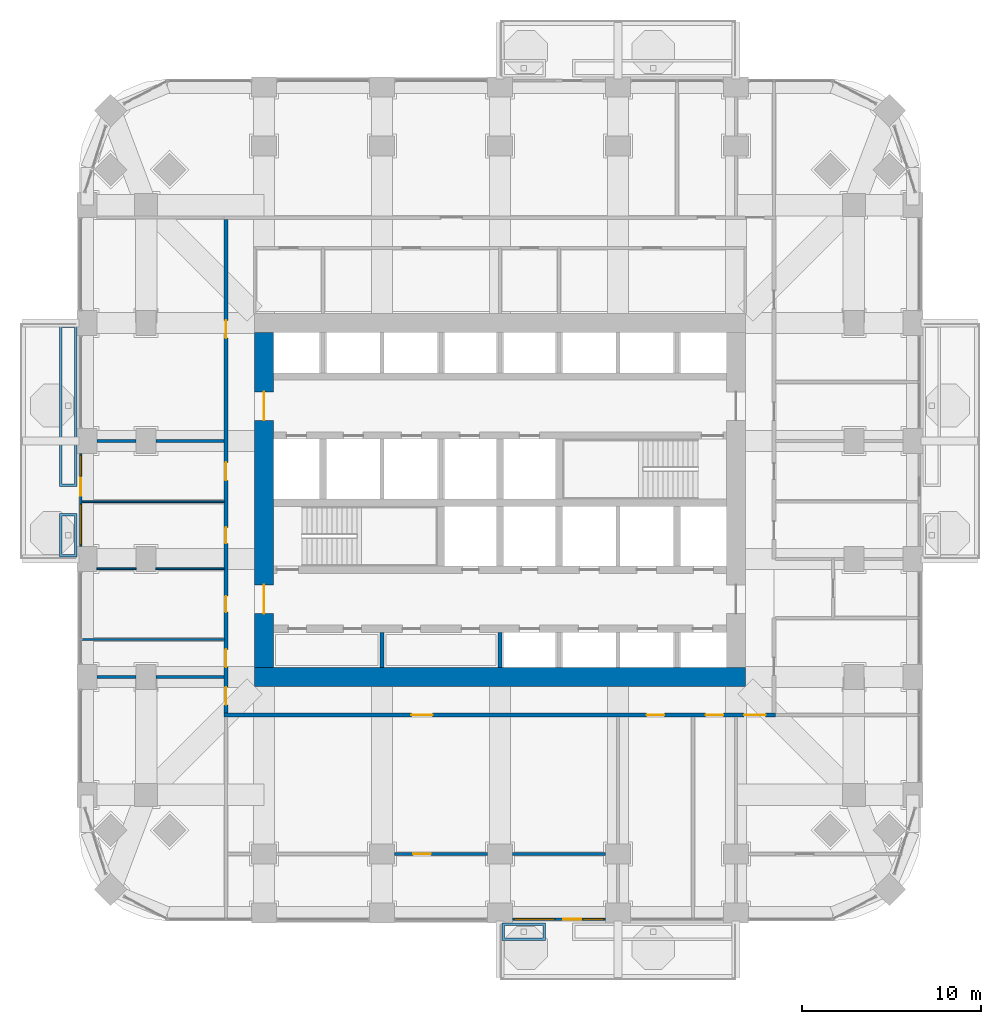
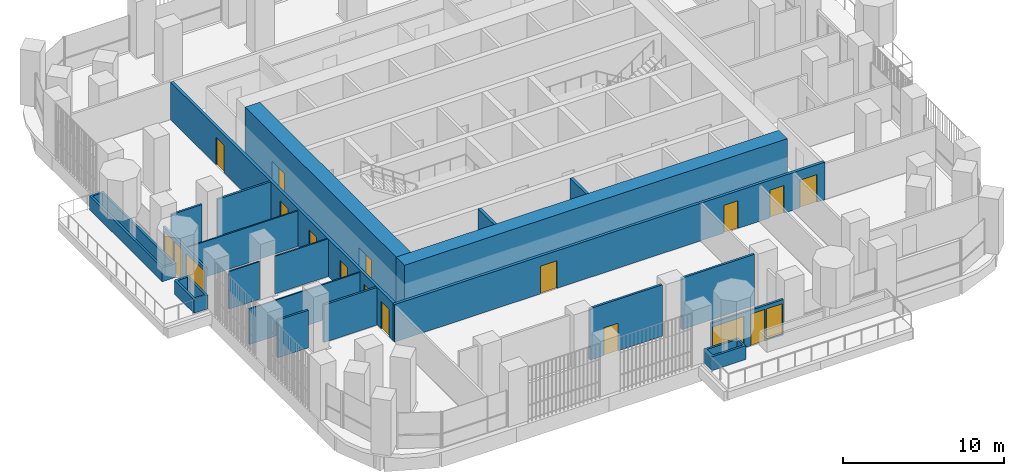
# One storey, part 14 of 22: 21 walls, 15 doors, 4 windows, 19 openings.
"""IFC4 building model written with IfcOpenShell, lengths in metres."""

from ifc_helpers import new_model, si_unit, direction, frame, frame_2d, origin, place, context, subcontext, project, spatial, polyline, rectangle, outline, extrude, material, layer, layer_set, type_object, element, fill, save


model = new_model("IFC4")

# Units and contexts
model_context = context("Model", 3, precision=1e-05, world=origin(), true_north=direction((0.0, 1.0)))
body_context = subcontext(model_context, "Body", "Model", "MODEL_VIEW")
ifc_project = project(units=[si_unit("LENGTHUNIT", "METRE"), si_unit("AREAUNIT", "SQUARE_METRE"), si_unit("VOLUMEUNIT", "CUBIC_METRE"), si_unit("PLANEANGLEUNIT", "RADIAN"), si_unit("MASSUNIT", "GRAM", prefix="KILO")], contexts=[model_context])

# Site, building, storey
site_placement = place(None, origin())
site = spatial("IfcSite", under=ifc_project, at=site_placement, CompositionType="ELEMENT")
building_placement = place(site_placement, origin())
building = spatial("IfcBuilding", under=site, at=building_placement, Name="Cobogo Forest Laboratory Tower", CompositionType="ELEMENT")
storey_placement = place(building_placement, frame((0.0, 0.0, 120.0)))
storey = spatial("IfcBuildingStorey", under=building, at=storey_placement, Name="L27", CompositionType="ELEMENT", Elevation=120.0)

# Wall
ifc_material_1 = material(Name="Concrete HA-50 (C50/60)", Category="concrete")
ifc_layer_1 = layer(ifc_material_1, 1.050048828125)
ifc_layer_set_1 = layer_set([ifc_layer_1], Name="CW1050 core outer wall 1050")
wall_type_1 = type_object("IfcWallType", Name="CW1050 core outer wall 1050", PredefinedType="SHEAR", material=ifc_layer_set_1)
wall_1_placement = place(storey_placement, frame((12.675048828125, 13.199951171875, 0.0), z_axis=(0.0, 0.0, 1.0), x_axis=(1.0, 0.0, 0.0)))
element("IfcWall", 1, at=wall_1_placement, inside=storey, type_object=wall_type_1, Name="Core wall CO-S L27", PredefinedType="SHEAR", context=body_context, shape_type="SweptSolid", body=[
    extrude(rectangle(XDim=27.449951171875, YDim=1.050048828125, at=frame_2d((13.72509765625, 0.0))), origin(), (0.0, 0.0, 1.0), 4.199951171875),
])

# Wall, openings, doors
wall_2_placement = place(storey_placement, frame((13.199951171875, 32.47509765625, 0.0), z_axis=(0.0, 0.0, 1.0), x_axis=(0.0, -1.0, 0.0)))
wall_2 = element("IfcWall", 2, at=wall_2_placement, inside=storey, type_object=wall_type_1, Name="Core wall CO-W L27", PredefinedType="SHEAR", context=body_context, shape_type="SweptSolid", body=[
    extrude(rectangle(XDim=18.75, YDim=1.050048828125, at=frame_2d((9.375, 0.0))), origin(), (0.0, 0.0, 1.0), 4.199951171875),
])
opening_1_placement = place(wall_2_placement, frame((14.125, 0.0, 0.0)))
opening_1 = element("IfcOpeningElement", 3, at=opening_1_placement, cuts=wall_2, Name="Opening L27-D16", PredefinedType="OPENING", context=body_context, shape_type="SweptSolid", body=[
    extrude(rectangle(XDim=1.60009765625, YDim=2.10009765625, at=frame_2d((0.800048828125, 1.050048828125))), frame((0.0, 0.534912109375, 0.0), z_axis=(0.0, -1.0, 0.0), x_axis=(1.0, 0.0, 0.0)), (0.0, 0.0, 1.0), 1.070068359375),
])
opening_2_placement = place(wall_2_placement, frame((3.324951171875, 0.0, 0.0)))
opening_2 = element("IfcOpeningElement", 4, at=opening_2_placement, cuts=wall_2, Name="Opening L27-D30", PredefinedType="OPENING", context=body_context, shape_type="SweptSolid", body=[
    extrude(rectangle(XDim=1.60009765625, YDim=2.10009765625, at=frame_2d((0.800048828125, 1.050048828125))), frame((0.0, 0.534912109375, 0.0), z_axis=(0.0, -1.0, 0.0), x_axis=(1.0, 0.0, 0.0)), (0.0, 0.0, 1.0), 1.070068359375),
])
ifc_material_2 = material(Name="Steel fire door", Category="steel")
door_type_1 = type_object("IfcDoorType", Name="DS2 protected lobby door pair 1600 EI2 60", OperationType="DOUBLE_DOOR_DOUBLE_SWING", PredefinedType="DOOR", material=ifc_material_2)
door_1_placement = place(opening_1_placement, origin())
door_1 = element("IfcDoor", 5, at=door_1_placement, inside=storey, type_object=door_type_1, Name="Door L27-CO-W-S", OperationType="DOUBLE_DOOR_DOUBLE_SWING", OverallHeight=2.10009765625, OverallWidth=1.60009765625, PredefinedType="DOOR", context=body_context, shape_type="SweptSolid", body=[
    extrude(rectangle(XDim=1.60009765625, YDim=2.10009765625, at=frame_2d((0.800048828125, 1.050048828125))), frame((0.0, 0.02490234375, 0.0), z_axis=(0.0, -1.0, 0.0), x_axis=(1.0, 0.0, 0.0)), (0.0, 0.0, 1.0), 0.050048828125),
])
fill(opening_1, door_1)
door_2_placement = place(opening_2_placement, origin())
door_2 = element("IfcDoor", 6, at=door_2_placement, inside=storey, type_object=door_type_1, Name="Door L27-CO-W-N", OperationType="DOUBLE_DOOR_DOUBLE_SWING", OverallHeight=2.10009765625, OverallWidth=1.60009765625, PredefinedType="DOOR", context=body_context, shape_type="SweptSolid", body=[
    extrude(rectangle(XDim=1.60009765625, YDim=2.10009765625, at=frame_2d((0.800048828125, 1.050048828125))), frame((0.0, 0.02490234375, 0.0), z_axis=(0.0, -1.0, 0.0), x_axis=(1.0, 0.0, 0.0)), (0.0, 0.0, 1.0), 0.050048828125),
])
fill(opening_2, door_2)

# Wall, openings, door, windows
ifc_material_3 = material(Name="Aluminium framed glazed screen", Category="aluminium")
ifc_layer_2 = layer(ifc_material_3, 0.14990234375)
ifc_layer_set_2 = layer_set([ifc_layer_2], Name="GS1 glazed door screen 150")
wall_type_2 = type_object("IfcWallType", Name="GS1 glazed door screen 150", PredefinedType="SOLIDWALL", material=ifc_layer_set_2)
wall_3_placement = place(storey_placement, frame((27.10009765625, -0.35009765625, 0.0), z_axis=(0.0, 0.0, 1.0), x_axis=(1.0, 0.0, 0.0)))
wall_3 = element("IfcWall", 7, at=wall_3_placement, inside=storey, type_object=wall_type_2, Name="Door screen BAL-S1 L27", PredefinedType="SOLIDWALL", context=body_context, shape_type="SweptSolid", body=[
    extrude(rectangle(XDim=5.199951171875, YDim=0.14990234375, at=frame_2d((2.60009765625, 0.0))), origin(), (0.0, 0.0, 1.0), 2.699951171875),
])
opening_3_placement = place(wall_3_placement, frame((2.85009765625, 0.0, 0.0)))
opening_3 = element("IfcOpeningElement", 8, at=opening_3_placement, cuts=wall_3, Name="Opening L27-D01", PredefinedType="OPENING", context=body_context, shape_type="SweptSolid", body=[
    extrude(rectangle(XDim=1.0, YDim=2.39990234375, at=frame_2d((0.5, 1.199951171875))), frame((0.0, 0.0849609375, 0.0), z_axis=(0.0, -1.0, 0.0), x_axis=(1.0, 0.0, 0.0)), (0.0, 0.0, 1.0), 0.169921875),
])
opening_4_placement = place(wall_3_placement, frame((0.10009765625, 0.0, 0.10009765625)))
opening_4 = element("IfcOpeningElement", 9, at=opening_4_placement, cuts=wall_3, Name="Opening L27-W01", PredefinedType="OPENING", context=body_context, shape_type="SweptSolid", body=[
    extrude(rectangle(XDim=2.25, YDim=2.300048828125, at=frame_2d((1.125, 1.14990234375))), frame((0.0, 0.0849609375, 0.0), z_axis=(0.0, -1.0, 0.0), x_axis=(1.0, 0.0, 0.0)), (0.0, 0.0, 1.0), 0.169921875),
])
opening_5_placement = place(wall_3_placement, frame((3.949951171875, 0.0, 0.10009765625)))
opening_5 = element("IfcOpeningElement", 10, at=opening_5_placement, cuts=wall_3, Name="Opening L27-W02", PredefinedType="OPENING", context=body_context, shape_type="SweptSolid", body=[
    extrude(rectangle(XDim=1.14990234375, YDim=2.300048828125, at=frame_2d((0.574951171875, 1.14990234375))), frame((0.0, 0.0849609375, 0.0), z_axis=(0.0, -1.0, 0.0), x_axis=(1.0, 0.0, 0.0)), (0.0, 0.0, 1.0), 0.169921875),
])
ifc_material_4 = material(Name="Aluminium glazed door", Category="aluminium")
door_type_2 = type_object("IfcDoorType", Name="DB1 balcony door 1000 glazed", OperationType="SINGLE_SWING_LEFT", PredefinedType="DOOR", material=ifc_material_4)
door_3_placement = place(opening_3_placement, origin())
door_3 = element("IfcDoor", 11, at=door_3_placement, inside=storey, type_object=door_type_2, Name="Door L27-BAL-S1", OperationType="SINGLE_SWING_RIGHT", OverallHeight=2.39990234375, OverallWidth=1.0, PredefinedType="DOOR", context=body_context, shape_type="SweptSolid", body=[
    extrude(rectangle(XDim=1.0, YDim=2.39990234375, at=frame_2d((0.5, 1.199951171875))), frame((0.0, 0.02490234375, 0.0), z_axis=(0.0, -1.0, 0.0), x_axis=(1.0, 0.0, 0.0)), (0.0, 0.0, 1.0), 0.050048828125),
])
fill(opening_3, door_3)
ifc_material_5 = material(Name="Aluminium framed glazing", Category="aluminium")
window_type_1 = type_object("IfcWindowType", Name="WG15 fixed glazed light 2250x2300", PartitioningType="SINGLE_PANEL", PredefinedType="WINDOW", material=ifc_material_5)
window_1_placement = place(opening_4_placement, origin())
window_1 = element("IfcWindow", 12, at=window_1_placement, inside=storey, type_object=window_type_1, Name="Window L27-BAL-S1-1", OverallHeight=2.300048828125, OverallWidth=2.25, PartitioningType="SINGLE_PANEL", PredefinedType="WINDOW", context=body_context, shape_type="SweptSolid", body=[
    extrude(rectangle(XDim=2.25, YDim=2.300048828125, at=frame_2d((1.125, 1.14990234375))), frame((0.0, 0.030029296875, 0.0), z_axis=(0.0, -1.0, 0.0), x_axis=(1.0, 0.0, 0.0)), (0.0, 0.0, 1.0), 0.06005859375),
])
fill(opening_4, window_1)
window_type_2 = type_object("IfcWindowType", Name="WG16 fixed glazed light 1150x2300", PartitioningType="SINGLE_PANEL", PredefinedType="WINDOW", material=ifc_material_5)
window_2_placement = place(opening_5_placement, origin())
window_2 = element("IfcWindow", 13, at=window_2_placement, inside=storey, type_object=window_type_2, Name="Window L27-BAL-S1-2", OverallHeight=2.300048828125, OverallWidth=1.14990234375, PartitioningType="SINGLE_PANEL", PredefinedType="WINDOW", context=body_context, shape_type="SweptSolid", body=[
    extrude(rectangle(XDim=1.14990234375, YDim=2.300048828125, at=frame_2d((0.574951171875, 1.14990234375))), frame((0.0, 0.030029296875, 0.0), z_axis=(0.0, -1.0, 0.0), x_axis=(1.0, 0.0, 0.0)), (0.0, 0.0, 1.0), 0.06005859375),
])
fill(opening_5, window_2)

wall_4_placement = place(storey_placement, frame((2.949951171875, 25.699951171875, 0.0), z_axis=(0.0, 0.0, 1.0), x_axis=(0.0, -1.0, 0.0)))
wall_4 = element("IfcWall", 14, at=wall_4_placement, inside=storey, type_object=wall_type_2, Name="Door screen BAL-W1 L27", PredefinedType="SOLIDWALL", context=body_context, shape_type="SweptSolid", body=[
    extrude(rectangle(XDim=5.199951171875, YDim=0.14990234375, at=frame_2d((2.60009765625, 0.0))), origin(), (0.0, 0.0, 1.0), 2.699951171875),
])
opening_6_placement = place(wall_4_placement, frame((1.35009765625, 0.0, 0.0)))
opening_6 = element("IfcOpeningElement", 15, at=opening_6_placement, cuts=wall_4, Name="Opening L27-D24", PredefinedType="OPENING", context=body_context, shape_type="SweptSolid", body=[
    extrude(rectangle(XDim=1.0, YDim=2.39990234375, at=frame_2d((0.5, 1.199951171875))), frame((0.0, 0.0849609375, 0.0), z_axis=(0.0, -1.0, 0.0), x_axis=(1.0, 0.0, 0.0)), (0.0, 0.0, 1.0), 0.169921875),
])
opening_7_placement = place(wall_4_placement, frame((0.10009765625, 0.0, 0.10009765625)))
opening_7 = element("IfcOpeningElement", 16, at=opening_7_placement, cuts=wall_4, Name="Opening L27-W05", PredefinedType="OPENING", context=body_context, shape_type="SweptSolid", body=[
    extrude(rectangle(XDim=1.14990234375, YDim=2.300048828125, at=frame_2d((0.574951171875, 1.14990234375))), frame((0.0, 0.0849609375, 0.0), z_axis=(0.0, -1.0, 0.0), x_axis=(1.0, 0.0, 0.0)), (0.0, 0.0, 1.0), 0.169921875),
])
opening_8_placement = place(wall_4_placement, frame((2.85009765625, 0.0, 0.10009765625)))
opening_8 = element("IfcOpeningElement", 17, at=opening_8_placement, cuts=wall_4, Name="Opening L27-W03", PredefinedType="OPENING", context=body_context, shape_type="SweptSolid", body=[
    extrude(rectangle(XDim=2.25, YDim=2.300048828125, at=frame_2d((1.125, 1.14990234375))), frame((0.0, 0.0849609375, 0.0), z_axis=(0.0, -1.0, 0.0), x_axis=(1.0, 0.0, 0.0)), (0.0, 0.0, 1.0), 0.169921875),
])
door_4_placement = place(opening_6_placement, origin())
door_4 = element("IfcDoor", 18, at=door_4_placement, inside=storey, type_object=door_type_2, Name="Door L27-BAL-W1", OperationType="SINGLE_SWING_LEFT", OverallHeight=2.39990234375, OverallWidth=1.0, PredefinedType="DOOR", context=body_context, shape_type="SweptSolid", body=[
    extrude(rectangle(XDim=1.0, YDim=2.39990234375, at=frame_2d((0.5, 1.199951171875))), frame((0.0, 0.02490234375, 0.0), z_axis=(0.0, -1.0, 0.0), x_axis=(1.0, 0.0, 0.0)), (0.0, 0.0, 1.0), 0.050048828125),
])
fill(opening_6, door_4)
window_3_placement = place(opening_8_placement, origin())
window_3 = element("IfcWindow", 19, at=window_3_placement, inside=storey, type_object=window_type_1, Name="Window L27-BAL-W1-2", OverallHeight=2.300048828125, OverallWidth=2.25, PartitioningType="SINGLE_PANEL", PredefinedType="WINDOW", context=body_context, shape_type="SweptSolid", body=[
    extrude(rectangle(XDim=2.25, YDim=2.300048828125, at=frame_2d((1.125, 1.14990234375))), frame((0.0, 0.030029296875, 0.0), z_axis=(0.0, -1.0, 0.0), x_axis=(1.0, 0.0, 0.0)), (0.0, 0.0, 1.0), 0.06005859375),
])
fill(opening_8, window_3)
window_4_placement = place(opening_7_placement, origin())
window_4 = element("IfcWindow", 20, at=window_4_placement, inside=storey, type_object=window_type_2, Name="Window L27-BAL-W1-1", OverallHeight=2.300048828125, OverallWidth=1.14990234375, PartitioningType="SINGLE_PANEL", PredefinedType="WINDOW", context=body_context, shape_type="SweptSolid", body=[
    extrude(rectangle(XDim=1.14990234375, YDim=2.300048828125, at=frame_2d((0.574951171875, 1.14990234375))), frame((0.0, 0.030029296875, 0.0), z_axis=(0.0, -1.0, 0.0), x_axis=(1.0, 0.0, 0.0)), (0.0, 0.0, 1.0), 0.06005859375),
])
fill(opening_7, window_4)

# Wall, opening, door
ifc_material_6 = material(Name="Gypsum board on steel studs", Category="steel")
ifc_layer_3 = layer(ifc_material_6, 0.14990234375)
ifc_layer_set_3 = layer_set([ifc_layer_3], Name="PT1 laboratory partition 150")
wall_type_3 = type_object("IfcWallType", Name="PT1 laboratory partition 150", PredefinedType="PARTITIONING", material=ifc_layer_set_3)
wall_5_placement = place(storey_placement, frame((20.5, 3.300048828125, 0.0), z_axis=(0.0, 0.0, 1.0), x_axis=(1.0, 0.0, 0.0)))
wall_5 = element("IfcWall", 21, at=wall_5_placement, inside=storey, type_object=wall_type_3, Name="Partition STRIP-S-3 L27", PredefinedType="PARTITIONING", context=body_context, shape_type="SweptSolid", body=[
    extrude(rectangle(XDim=5.199951171875, YDim=0.14990234375, at=frame_2d((2.60009765625, 0.0))), origin(), (0.0, 0.0, 1.0), 3.89990234375),
])
opening_9_placement = place(wall_5_placement, frame((1.03759765625, 0.0, 0.0)))
opening_9 = element("IfcOpeningElement", 22, at=opening_9_placement, cuts=wall_5, Name="Opening L27-D02", PredefinedType="OPENING", context=body_context, shape_type="SweptSolid", body=[
    extrude(rectangle(XDim=1.0, YDim=2.10009765625, at=frame_2d((0.5, 1.050048828125))), frame((0.0, 0.0849609375, 0.0), z_axis=(0.0, -1.0, 0.0), x_axis=(1.0, 0.0, 0.0)), (0.0, 0.0, 1.0), 0.169921875),
])
ifc_material_7 = material(Name="Timber fire door", Category="wood")
door_type_3 = type_object("IfcDoorType", Name="FD2 fire door 1000 EI2 30", OperationType="SINGLE_SWING_LEFT", PredefinedType="DOOR", material=ifc_material_7)
door_5_placement = place(opening_9_placement, origin())
door_5 = element("IfcDoor", 23, at=door_5_placement, inside=storey, type_object=door_type_3, Name="Door L27-S1W", OperationType="SINGLE_SWING_LEFT", OverallHeight=2.10009765625, OverallWidth=1.0, PredefinedType="DOOR", context=body_context, shape_type="SweptSolid", body=[
    extrude(rectangle(XDim=1.0, YDim=2.10009765625, at=frame_2d((0.5, 1.050048828125))), frame((0.0, 0.02490234375, 0.0), z_axis=(0.0, -1.0, 0.0), x_axis=(1.0, 0.0, 0.0)), (0.0, 0.0, 1.0), 0.050048828125),
])
fill(opening_9, door_5)

# Walls
wall_6_placement = place(storey_placement, frame((27.10009765625, 3.300048828125, 0.0), z_axis=(0.0, 0.0, 1.0), x_axis=(1.0, 0.0, 0.0)))
element("IfcWall", 24, at=wall_6_placement, inside=storey, type_object=wall_type_3, Name="Partition STRIP-S-4 L27", PredefinedType="PARTITIONING", context=body_context, shape_type="SweptSolid", body=[
    extrude(rectangle(XDim=5.199951171875, YDim=0.14990234375, at=frame_2d((2.60009765625, 0.0))), origin(), (0.0, 0.0, 1.0), 3.89990234375),
])
wall_7_placement = place(storey_placement, frame((3.85009765625, 13.199951171875, 0.0), z_axis=(0.0, 0.0, 1.0), x_axis=(1.0, 0.0, 0.0)))
element("IfcWall", 25, at=wall_7_placement, inside=storey, type_object=wall_type_3, Name="Partition CUT-W13.2-1 L27", PredefinedType="PARTITIONING", context=body_context, shape_type="SweptSolid", body=[
    extrude(rectangle(XDim=2.199951171875, YDim=0.14990234375, at=frame_2d((1.10009765625, 0.0))), origin(), (0.0, 0.0, 1.0), 2.85009765625),
])
wall_8_placement = place(storey_placement, frame((7.14990234375, 13.199951171875, 0.0), z_axis=(0.0, 0.0, 1.0), x_axis=(1.0, 0.0, 0.0)))
element("IfcWall", 26, at=wall_8_placement, inside=storey, type_object=wall_type_3, Name="Partition CUT-W13.2-2 L27", PredefinedType="PARTITIONING", context=body_context, shape_type="SweptSolid", body=[
    extrude(rectangle(XDim=3.8251953125, YDim=0.14990234375, at=frame_2d((1.91259765625, 0.0))), origin(), (0.0, 0.0, 1.0), 2.85009765625),
])
wall_9_placement = place(storey_placement, frame((3.85009765625, 26.39990234375, 0.0), z_axis=(0.0, 0.0, 1.0), x_axis=(1.0, 0.0, 0.0)))
element("IfcWall", 27, at=wall_9_placement, inside=storey, type_object=wall_type_3, Name="Partition CUT-W26.4-1 L27", PredefinedType="PARTITIONING", context=body_context, shape_type="SweptSolid", body=[
    extrude(rectangle(XDim=2.199951171875, YDim=0.14990234375, at=frame_2d((1.10009765625, 0.0))), origin(), (0.0, 0.0, 1.0), 2.85009765625),
])
wall_10_placement = place(storey_placement, frame((7.14990234375, 26.39990234375, 0.0), z_axis=(0.0, 0.0, 1.0), x_axis=(1.0, 0.0, 0.0)))
element("IfcWall", 28, at=wall_10_placement, inside=storey, type_object=wall_type_3, Name="Partition CUT-W26.4-2 L27", PredefinedType="PARTITIONING", context=body_context, shape_type="SweptSolid", body=[
    extrude(rectangle(XDim=3.8251953125, YDim=0.14990234375, at=frame_2d((1.91259765625, 0.0))), origin(), (0.0, 0.0, 1.0), 2.85009765625),
])

# Wall, openings, doors
ifc_layer_4 = layer(ifc_material_6, 0.199951171875)
ifc_layer_set_4 = layer_set([ifc_layer_4], Name="PT2 fire-rated corridor partition 200")
wall_type_4 = type_object("IfcWallType", Name="PT2 fire-rated corridor partition 200", PredefinedType="PARTITIONING", material=ifc_layer_set_4)
wall_11_placement = place(storey_placement, frame((10.97509765625, 11.074951171875, 0.0), z_axis=(0.0, 0.0, 1.0), x_axis=(1.0, 0.0, 0.0)))
wall_11 = element("IfcWall", 29, at=wall_11_placement, inside=storey, type_object=wall_type_4, Name="Partition CORR-S L27", PredefinedType="PARTITIONING", context=body_context, shape_type="SweptSolid", body=[
    extrude(rectangle(XDim=30.849853515625, YDim=0.199951171875, at=frame_2d((15.4248046875, 0.0))), origin(), (0.0, 0.0, 1.0), 2.85009765625),
])
opening_10_placement = place(wall_11_placement, frame((10.46240234375, 0.0, 0.0)))
opening_10 = element("IfcOpeningElement", 30, at=opening_10_placement, cuts=wall_11, Name="Opening L27-D04", PredefinedType="OPENING", context=body_context, shape_type="SweptSolid", body=[
    extrude(rectangle(XDim=1.199951171875, YDim=2.10009765625, at=frame_2d((0.60009765625, 1.050048828125))), frame((0.0, 0.10986328125, 0.0), z_axis=(0.0, -1.0, 0.0), x_axis=(1.0, 0.0, 0.0)), (0.0, 0.0, 1.0), 0.219970703125),
])
opening_11_placement = place(wall_11_placement, frame((23.625, 0.0, 0.0)))
opening_11 = element("IfcOpeningElement", 31, at=opening_11_placement, cuts=wall_11, Name="Opening L27-D05", PredefinedType="OPENING", context=body_context, shape_type="SweptSolid", body=[
    extrude(rectangle(XDim=1.0, YDim=2.10009765625, at=frame_2d((0.5, 1.050048828125))), frame((0.0, 0.10986328125, 0.0), z_axis=(0.0, -1.0, 0.0), x_axis=(1.0, 0.0, 0.0)), (0.0, 0.0, 1.0), 0.219970703125),
])
opening_12_placement = place(wall_11_placement, frame((26.925048828125, 0.0, 0.0)))
opening_12 = element("IfcOpeningElement", 32, at=opening_12_placement, cuts=wall_11, Name="Opening L27-D06", PredefinedType="OPENING", context=body_context, shape_type="SweptSolid", body=[
    extrude(rectangle(XDim=1.0, YDim=2.10009765625, at=frame_2d((0.5, 1.050048828125))), frame((0.0, 0.10986328125, 0.0), z_axis=(0.0, -1.0, 0.0), x_axis=(1.0, 0.0, 0.0)), (0.0, 0.0, 1.0), 0.219970703125),
])
opening_13_placement = place(wall_11_placement, frame((29.08740234375, 0.0, 0.0)))
opening_13 = element("IfcOpeningElement", 33, at=opening_13_placement, cuts=wall_11, Name="Opening L27-D07", PredefinedType="OPENING", context=body_context, shape_type="SweptSolid", body=[
    extrude(rectangle(XDim=1.199951171875, YDim=2.10009765625, at=frame_2d((0.60009765625, 1.050048828125))), frame((0.0, 0.10986328125, 0.0), z_axis=(0.0, -1.0, 0.0), x_axis=(1.0, 0.0, 0.0)), (0.0, 0.0, 1.0), 0.219970703125),
])
ifc_material_8 = material(Name="Timber door", Category="wood")
door_type_4 = type_object("IfcDoorType", Name="D2 laboratory door 1200 unequal pair", OperationType="DOUBLE_DOOR_SINGLE_SWING", PredefinedType="DOOR", material=ifc_material_8)
door_6_placement = place(opening_10_placement, origin())
door_6 = element("IfcDoor", 34, at=door_6_placement, inside=storey, type_object=door_type_4, Name="Door L27-S1", OperationType="DOUBLE_DOOR_SINGLE_SWING", OverallHeight=2.10009765625, OverallWidth=1.199951171875, PredefinedType="DOOR", context=body_context, shape_type="SweptSolid", body=[
    extrude(rectangle(XDim=1.199951171875, YDim=2.10009765625, at=frame_2d((0.60009765625, 1.050048828125))), frame((0.0, 0.02490234375, 0.0), z_axis=(0.0, -1.0, 0.0), x_axis=(1.0, 0.0, 0.0)), (0.0, 0.0, 1.0), 0.050048828125),
])
fill(opening_10, door_6)
door_7_placement = place(opening_13_placement, origin())
door_7 = element("IfcDoor", 35, at=door_7_placement, inside=storey, type_object=door_type_4, Name="Door L27-S2", OperationType="DOUBLE_DOOR_SINGLE_SWING", OverallHeight=2.10009765625, OverallWidth=1.199951171875, PredefinedType="DOOR", context=body_context, shape_type="SweptSolid", body=[
    extrude(rectangle(XDim=1.199951171875, YDim=2.10009765625, at=frame_2d((0.60009765625, 1.050048828125))), frame((0.0, 0.02490234375, 0.0), z_axis=(0.0, -1.0, 0.0), x_axis=(1.0, 0.0, 0.0)), (0.0, 0.0, 1.0), 0.050048828125),
])
fill(opening_13, door_7)
door_8_placement = place(opening_11_placement, origin())
door_8 = element("IfcDoor", 36, at=door_8_placement, inside=storey, type_object=door_type_3, Name="Door L27-MTG", OperationType="SINGLE_SWING_RIGHT", OverallHeight=2.10009765625, OverallWidth=1.0, PredefinedType="DOOR", context=body_context, shape_type="SweptSolid", body=[
    extrude(rectangle(XDim=1.0, YDim=2.10009765625, at=frame_2d((0.5, 1.050048828125))), frame((0.0, 0.02490234375, 0.0), z_axis=(0.0, -1.0, 0.0), x_axis=(1.0, 0.0, 0.0)), (0.0, 0.0, 1.0), 0.050048828125),
])
fill(opening_11, door_8)
door_9_placement = place(opening_12_placement, origin())
door_9 = element("IfcDoor", 37, at=door_9_placement, inside=storey, type_object=door_type_3, Name="Door L27-PAN", OperationType="SINGLE_SWING_RIGHT", OverallHeight=2.10009765625, OverallWidth=1.0, PredefinedType="DOOR", context=body_context, shape_type="SweptSolid", body=[
    extrude(rectangle(XDim=1.0, YDim=2.10009765625, at=frame_2d((0.5, 1.050048828125))), frame((0.0, 0.02490234375, 0.0), z_axis=(0.0, -1.0, 0.0), x_axis=(1.0, 0.0, 0.0)), (0.0, 0.0, 1.0), 0.050048828125),
])
fill(opening_12, door_9)

wall_12_placement = place(storey_placement, frame((11.074951171875, 11.175048828125, 0.0), z_axis=(0.0, 0.0, 1.0), x_axis=(0.0, 1.0, 0.0)))
wall_12 = element("IfcWall", 38, at=wall_12_placement, inside=storey, type_object=wall_type_4, Name="Partition CORR-W L27", PredefinedType="PARTITIONING", context=body_context, shape_type="SweptSolid", body=[
    extrude(rectangle(XDim=27.625, YDim=0.199951171875, at=frame_2d((13.8125, 0.0))), origin(), (0.0, 0.0, 1.0), 2.85009765625),
])
opening_14_placement = place(wall_12_placement, frame((0.46240234375, 0.0, 0.0)))
opening_14 = element("IfcOpeningElement", 39, at=opening_14_placement, cuts=wall_12, Name="Opening L27-D08", PredefinedType="OPENING", context=body_context, shape_type="SweptSolid", body=[
    extrude(rectangle(XDim=1.0, YDim=2.10009765625, at=frame_2d((0.5, 1.050048828125))), frame((0.0, 0.10986328125, 0.0), z_axis=(0.0, -1.0, 0.0), x_axis=(1.0, 0.0, 0.0)), (0.0, 0.0, 1.0), 0.219970703125),
])
opening_15_placement = place(wall_12_placement, frame((2.574951171875, 0.0, 0.0)))
opening_15 = element("IfcOpeningElement", 40, at=opening_15_placement, cuts=wall_12, Name="Opening L27-D10", PredefinedType="OPENING", context=body_context, shape_type="SweptSolid", body=[
    extrude(rectangle(XDim=1.0, YDim=2.10009765625, at=frame_2d((0.5, 1.050048828125))), frame((0.0, 0.10986328125, 0.0), z_axis=(0.0, -1.0, 0.0), x_axis=(1.0, 0.0, 0.0)), (0.0, 0.0, 1.0), 0.219970703125),
])
opening_16_placement = place(wall_12_placement, frame((5.64990234375, 0.0, 0.0)))
opening_16 = element("IfcOpeningElement", 41, at=opening_16_placement, cuts=wall_12, Name="Opening L27-D15", PredefinedType="OPENING", context=body_context, shape_type="SweptSolid", body=[
    extrude(rectangle(XDim=0.89990234375, YDim=2.10009765625, at=frame_2d((0.449951171875, 1.050048828125))), frame((0.0, 0.10986328125, 0.0), z_axis=(0.0, -1.0, 0.0), x_axis=(1.0, 0.0, 0.0)), (0.0, 0.0, 1.0), 0.219970703125),
])
opening_17_placement = place(wall_12_placement, frame((9.5, 0.0, 0.0)))
opening_17 = element("IfcOpeningElement", 42, at=opening_17_placement, cuts=wall_12, Name="Opening L27-D22", PredefinedType="OPENING", context=body_context, shape_type="SweptSolid", body=[
    extrude(rectangle(XDim=0.89990234375, YDim=2.10009765625, at=frame_2d((0.449951171875, 1.050048828125))), frame((0.0, 0.10986328125, 0.0), z_axis=(0.0, -1.0, 0.0), x_axis=(1.0, 0.0, 0.0)), (0.0, 0.0, 1.0), 0.219970703125),
])
opening_18_placement = place(wall_12_placement, frame((13.02490234375, 0.0, 0.0)))
opening_18 = element("IfcOpeningElement", 43, at=opening_18_placement, cuts=wall_12, Name="Opening L27-D26", PredefinedType="OPENING", context=body_context, shape_type="SweptSolid", body=[
    extrude(rectangle(XDim=1.0, YDim=2.10009765625, at=frame_2d((0.5, 1.050048828125))), frame((0.0, 0.10986328125, 0.0), z_axis=(0.0, -1.0, 0.0), x_axis=(1.0, 0.0, 0.0)), (0.0, 0.0, 1.0), 0.219970703125),
])
opening_19_placement = place(wall_12_placement, frame((20.97509765625, 0.0, 0.0)))
opening_19 = element("IfcOpeningElement", 44, at=opening_19_placement, cuts=wall_12, Name="Opening L27-D32", PredefinedType="OPENING", context=body_context, shape_type="SweptSolid", body=[
    extrude(rectangle(XDim=1.0, YDim=2.10009765625, at=frame_2d((0.5, 1.050048828125))), frame((0.0, 0.10986328125, 0.0), z_axis=(0.0, -1.0, 0.0), x_axis=(1.0, 0.0, 0.0)), (0.0, 0.0, 1.0), 0.219970703125),
])
door_10_placement = place(opening_14_placement, origin())
door_10 = element("IfcDoor", 45, at=door_10_placement, inside=storey, type_object=door_type_3, Name="Door L27-W1", OperationType="SINGLE_SWING_LEFT", OverallHeight=2.10009765625, OverallWidth=1.0, PredefinedType="DOOR", context=body_context, shape_type="SweptSolid", body=[
    extrude(rectangle(XDim=1.0, YDim=2.10009765625, at=frame_2d((0.5, 1.050048828125))), frame((0.0, 0.02490234375, 0.0), z_axis=(0.0, -1.0, 0.0), x_axis=(1.0, 0.0, 0.0)), (0.0, 0.0, 1.0), 0.050048828125),
])
fill(opening_14, door_10)
door_11_placement = place(opening_18_placement, origin())
door_11 = element("IfcDoor", 46, at=door_11_placement, inside=storey, type_object=door_type_3, Name="Door L27-SHW", OperationType="SINGLE_SWING_LEFT", OverallHeight=2.10009765625, OverallWidth=1.0, PredefinedType="DOOR", context=body_context, shape_type="SweptSolid", body=[
    extrude(rectangle(XDim=1.0, YDim=2.10009765625, at=frame_2d((0.5, 1.050048828125))), frame((0.0, 0.02490234375, 0.0), z_axis=(0.0, -1.0, 0.0), x_axis=(1.0, 0.0, 0.0)), (0.0, 0.0, 1.0), 0.050048828125),
])
fill(opening_18, door_11)
door_12_placement = place(opening_19_placement, origin())
door_12 = element("IfcDoor", 47, at=door_12_placement, inside=storey, type_object=door_type_3, Name="Door L27-W3", OperationType="SINGLE_SWING_RIGHT", OverallHeight=2.10009765625, OverallWidth=1.0, PredefinedType="DOOR", context=body_context, shape_type="SweptSolid", body=[
    extrude(rectangle(XDim=1.0, YDim=2.10009765625, at=frame_2d((0.5, 1.050048828125))), frame((0.0, 0.02490234375, 0.0), z_axis=(0.0, -1.0, 0.0), x_axis=(1.0, 0.0, 0.0)), (0.0, 0.0, 1.0), 0.050048828125),
])
fill(opening_19, door_12)
door_type_5 = type_object("IfcDoorType", Name="FD3 toilet fire door 900 EI2 30", OperationType="SINGLE_SWING_LEFT", PredefinedType="DOOR", material=ifc_material_7)
door_13_placement = place(opening_16_placement, origin())
door_13 = element("IfcDoor", 48, at=door_13_placement, inside=storey, type_object=door_type_5, Name="Door L27-WCF", OperationType="SINGLE_SWING_LEFT", OverallHeight=2.10009765625, OverallWidth=0.89990234375, PredefinedType="DOOR", context=body_context, shape_type="SweptSolid", body=[
    extrude(rectangle(XDim=0.89990234375, YDim=2.10009765625, at=frame_2d((0.449951171875, 1.050048828125))), frame((0.0, 0.02490234375, 0.0), z_axis=(0.0, -1.0, 0.0), x_axis=(1.0, 0.0, 0.0)), (0.0, 0.0, 1.0), 0.050048828125),
])
fill(opening_16, door_13)
door_14_placement = place(opening_17_placement, origin())
door_14 = element("IfcDoor", 49, at=door_14_placement, inside=storey, type_object=door_type_5, Name="Door L27-WCM", OperationType="SINGLE_SWING_LEFT", OverallHeight=2.10009765625, OverallWidth=0.89990234375, PredefinedType="DOOR", context=body_context, shape_type="SweptSolid", body=[
    extrude(rectangle(XDim=0.89990234375, YDim=2.10009765625, at=frame_2d((0.449951171875, 1.050048828125))), frame((0.0, 0.02490234375, 0.0), z_axis=(0.0, -1.0, 0.0), x_axis=(1.0, 0.0, 0.0)), (0.0, 0.0, 1.0), 0.050048828125),
])
fill(opening_17, door_14)
door_type_6 = type_object("IfcDoorType", Name="FDA1 accessible toilet fire door 1000 EI2 30", OperationType="SINGLE_SWING_RIGHT", PredefinedType="DOOR", material=ifc_material_7)
door_15_placement = place(opening_15_placement, origin())
door_15 = element("IfcDoor", 50, at=door_15_placement, inside=storey, type_object=door_type_6, Name="Door L27-WCA", OperationType="SINGLE_SWING_LEFT", OverallHeight=2.10009765625, OverallWidth=1.0, PredefinedType="DOOR", context=body_context, shape_type="SweptSolid", body=[
    extrude(rectangle(XDim=1.0, YDim=2.10009765625, at=frame_2d((0.5, 1.050048828125))), frame((0.0, 0.02490234375, 0.0), z_axis=(0.0, -1.0, 0.0), x_axis=(1.0, 0.0, 0.0)), (0.0, 0.0, 1.0), 0.050048828125),
])
fill(opening_15, door_15)

# Walls
ifc_layer_5 = layer(ifc_material_6, 0.10009765625)
ifc_layer_set_5 = layer_set([ifc_layer_5], Name="PT3 toilet partition 100")
wall_type_5 = type_object("IfcWallType", Name="PT3 toilet partition 100", PredefinedType="PARTITIONING", material=ifc_layer_set_5)
wall_13_placement = place(storey_placement, frame((3.030029296875, 15.300048828125, 0.0), z_axis=(0.0, 0.0, 1.0), x_axis=(1.0, 0.0, 0.0)))
element("IfcWall", 51, at=wall_13_placement, inside=storey, type_object=wall_type_5, Name="Partition SVC-W1-1 L27", PredefinedType="PARTITIONING", context=body_context, shape_type="SweptSolid", body=[
    extrude(rectangle(XDim=7.945068359375, YDim=0.10009765625, at=frame_2d((3.97265625, 0.0))), origin(), (0.0, 0.0, 1.0), 2.699951171875),
])
wall_14_placement = place(storey_placement, frame((3.85009765625, 19.25, 0.0), z_axis=(0.0, 0.0, 1.0), x_axis=(1.0, 0.0, 0.0)))
element("IfcWall", 52, at=wall_14_placement, inside=storey, type_object=wall_type_5, Name="Partition SVC-W2-1 L27", PredefinedType="PARTITIONING", context=body_context, shape_type="SweptSolid", body=[
    extrude(rectangle(XDim=2.199951171875, YDim=0.10009765625, at=frame_2d((1.10009765625, 0.0))), origin(), (0.0, 0.0, 1.0), 2.85009765625),
])
wall_15_placement = place(storey_placement, frame((7.14990234375, 19.25, 0.0), z_axis=(0.0, 0.0, 1.0), x_axis=(1.0, 0.0, 0.0)))
element("IfcWall", 53, at=wall_15_placement, inside=storey, type_object=wall_type_5, Name="Partition SVC-W2-2 L27", PredefinedType="PARTITIONING", context=body_context, shape_type="SweptSolid", body=[
    extrude(rectangle(XDim=3.8251953125, YDim=0.10009765625, at=frame_2d((1.91259765625, 0.0))), origin(), (0.0, 0.0, 1.0), 2.85009765625),
])
wall_16_placement = place(storey_placement, frame((3.030029296875, 23.0, 0.0), z_axis=(0.0, 0.0, 1.0), x_axis=(1.0, 0.0, 0.0)))
element("IfcWall", 54, at=wall_16_placement, inside=storey, type_object=wall_type_5, Name="Partition SVC-W3-1 L27", PredefinedType="PARTITIONING", context=body_context, shape_type="SweptSolid", body=[
    extrude(rectangle(XDim=7.945068359375, YDim=0.10009765625, at=frame_2d((3.97265625, 0.0))), origin(), (0.0, 0.0, 1.0), 2.699951171875),
])
ifc_material_9 = material(Name="Concrete HA-40 (C40/50)", Category="concrete")
ifc_layer_6 = layer(ifc_material_9, 0.14990234375)
ifc_layer_set_6 = layer_set([ifc_layer_6], Name="Planter box 1000x1050")
wall_type_6 = type_object("IfcWallType", Name="Planter box 1000x1050", PredefinedType="USERDEFINED", material=ifc_layer_set_6)
wall_17_placement = place(storey_placement, origin())
element("IfcWall", 55, at=wall_17_placement, inside=storey, type_object=wall_type_6, Name="Planter BAL-S1-1 L27", ObjectType="PLANTER", PredefinedType="USERDEFINED", context=body_context, shape_type="SweptSolid", body=[
    extrude(outline(polyline([(26.5, -1.550048828125), (28.949951171875, -1.550048828125), (28.949951171875, -0.550048828125), (26.5, -0.550048828125), (26.5, -1.550048828125)]), holes=[polyline([(26.64990234375, -1.39990234375), (28.800048828125, -1.39990234375), (28.800048828125, -0.699951171875), (26.64990234375, -0.699951171875), (26.64990234375, -1.39990234375)])]), origin(), (0.0, 0.0, 1.0), 1.050048828125),
])
wall_18_placement = place(storey_placement, origin())
element("IfcWall", 56, at=wall_18_placement, inside=storey, type_object=wall_type_6, Name="Planter BAL-W1-1 L27", ObjectType="PLANTER", PredefinedType="USERDEFINED", context=body_context, shape_type="SweptSolid", body=[
    extrude(outline(polyline([(1.75, 19.89990234375), (2.75, 19.89990234375), (2.75, 22.35009765625), (1.75, 22.35009765625), (1.75, 19.89990234375)]), holes=[polyline([(1.89990234375, 20.050048828125), (2.60009765625, 20.050048828125), (2.60009765625, 22.199951171875), (1.89990234375, 22.199951171875), (1.89990234375, 20.050048828125)])]), origin(), (0.0, 0.0, 1.0), 1.050048828125),
])
wall_19_placement = place(storey_placement, origin())
element("IfcWall", 57, at=wall_19_placement, inside=storey, type_object=wall_type_6, Name="Planter BAL-W1-2 L27", ObjectType="PLANTER", PredefinedType="USERDEFINED", context=body_context, shape_type="SweptSolid", body=[
    extrude(outline(polyline([(1.75, 23.85009765625), (2.75, 23.85009765625), (2.75, 32.89990234375), (1.75, 32.89990234375), (1.75, 23.85009765625)]), holes=[polyline([(1.89990234375, 24.0), (2.60009765625, 24.0), (2.60009765625, 32.75), (1.89990234375, 32.75), (1.89990234375, 24.0)])]), origin(), (0.0, 0.0, 1.0), 1.050048828125),
])
ifc_material_10 = material(Name="Concrete block", Category="concrete")
ifc_layer_7 = layer(ifc_material_10, 0.199951171875)
ifc_layer_set_7 = layer_set([ifc_layer_7], Name="SW200 lift shaft separator 200")
wall_type_7 = type_object("IfcWallType", Name="SW200 lift shaft separator 200", PredefinedType="PARTITIONING", material=ifc_layer_set_7)
for number, where, z_axis, x_axis, name in (
    (58, (19.800048828125, 13.72509765625, 0.0), (0.0, 0.0, 1.0), (0.0, 1.0, 0.0), "Core wall SEP-S2 L27"),
    (59, (26.39990234375, 13.72509765625, 0.0), (0.0, 0.0, 1.0), (0.0, 1.0, 0.0), "Core wall SEP-S4 L27"),
):
    element("IfcWall", number, at=place(storey_placement, frame(where, z_axis=z_axis, x_axis=x_axis)), inside=storey, type_object=wall_type_7, Name=name, PredefinedType="PARTITIONING", context=body_context, shape_type="SweptSolid", body=[
        extrude(rectangle(XDim=1.974853515625, YDim=0.199951171875, at=frame_2d((0.9873046875, 0.0))), origin(), (0.0, 0.0, 1.0), 4.199951171875),
    ])

save(model, "model.ifc")
